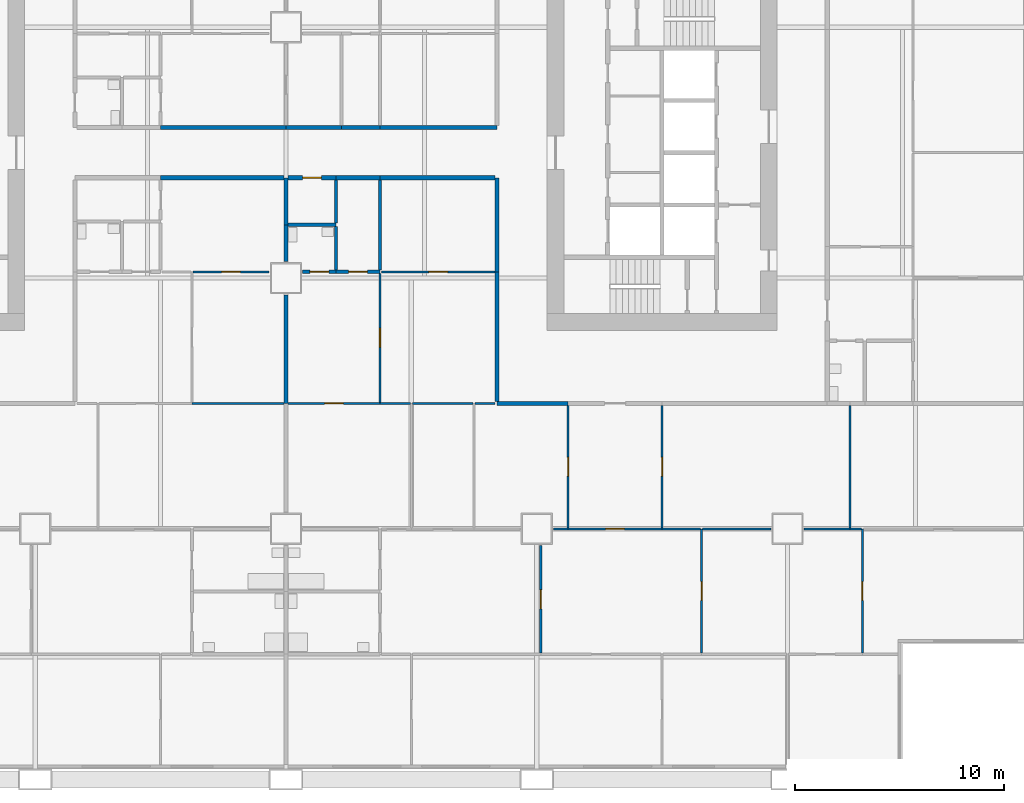
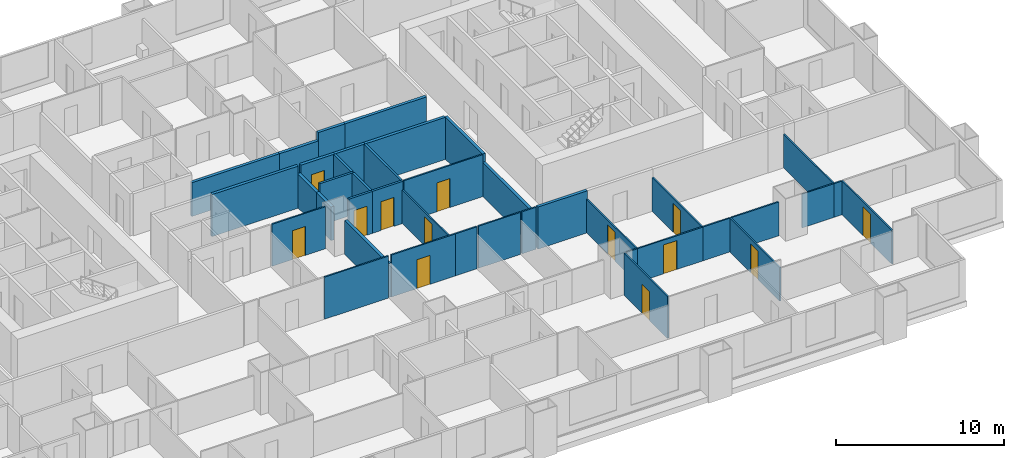
# One storey, part 6 of 14: 40 walls, 13 doors, 13 openings.
"""IFC4 building model written with IfcOpenShell, lengths in metres."""

from ifc_helpers import new_model, si_unit, direction, frame, frame_2d, origin, place, context, subcontext, project, spatial, rectangle, extrude, material, layer, layer_set, type_object, element, fill, save


model = new_model("IFC4")

# Units and contexts
model_context = context("Model", 3, precision=1e-05, world=origin(), true_north=direction((0.0, 1.0)))
body_context = subcontext(model_context, "Body", "Model", "MODEL_VIEW")
ifc_project = project(units=[si_unit("LENGTHUNIT", "METRE"), si_unit("AREAUNIT", "SQUARE_METRE"), si_unit("VOLUMEUNIT", "CUBIC_METRE"), si_unit("PLANEANGLEUNIT", "RADIAN"), si_unit("MASSUNIT", "GRAM", prefix="KILO")], contexts=[model_context])

# Site, building, storey
site_placement = place(None, origin())
site = spatial("IfcSite", under=ifc_project, at=site_placement, CompositionType="ELEMENT")
building_placement = place(site_placement, origin())
building = spatial("IfcBuilding", under=site, at=building_placement, Name="Kitamizu Gate Tower and Museum", CompositionType="ELEMENT")
storey_placement = place(building_placement, frame((0.0, 0.0, 67.949951171875)))
storey = spatial("IfcBuildingStorey", under=building, at=storey_placement, Name="L16", CompositionType="ELEMENT", Elevation=67.949951171875)

# Wall
ifc_material_1 = material(Name="Gypsum board on galvanised stud")
ifc_layer_1 = layer(ifc_material_1, 0.10009765625)
ifc_layer_set_1 = layer_set([ifc_layer_1], Name="Gypsum board on galvanised stud")
wall_type_1 = type_object("IfcWallType", Name="Partition 100 NOT RATED", PredefinedType="PARTITIONING", material=ifc_layer_set_1)
wall_1_placement = place(storey_placement, frame((35.89990234375, 18.0, 0.0), z_axis=(0.0, 0.0, 1.0), x_axis=(-1.0, 0.0, 0.0)))
element("IfcWall", 1, at=wall_1_placement, inside=storey, type_object=wall_type_1, Name="Partition L16-050", PredefinedType="PARTITIONING", context=body_context, shape_type="SweptSolid", body=[
    extrude(rectangle(XDim=4.39990234375, YDim=0.10009765625, at=frame_2d((2.199951171875, 0.0))), origin(), (0.0, 0.0, 1.0), 3.050048828125),
])

# Wall, opening, door
wall_2_placement = place(storey_placement, frame((35.199951171875, 24.300048828125, 0.0), z_axis=(0.0, 0.0, 1.0), x_axis=(-1.0, 0.0, 0.0)))
wall_2 = element("IfcWall", 2, at=wall_2_placement, inside=storey, type_object=wall_type_1, Name="Partition L16-058", PredefinedType="PARTITIONING", context=body_context, shape_type="SweptSolid", body=[
    extrude(rectangle(XDim=3.64990234375, YDim=0.10009765625, at=frame_2d((1.824951171875, 0.0))), origin(), (0.0, 0.0, 1.0), 3.050048828125),
])
opening_1_placement = place(wall_2_placement, frame((1.375, 0.0, 0.0)))
opening_1 = element("IfcOpeningElement", 3, at=opening_1_placement, cuts=wall_2, Name="Opening L16-023", PredefinedType="OPENING", context=body_context, shape_type="SweptSolid", body=[
    extrude(rectangle(XDim=0.89990234375, YDim=2.10009765625, at=frame_2d((0.449951171875, 1.050048828125))), frame((0.0, 0.06005859375, 0.0), z_axis=(0.0, -1.0, 0.0), x_axis=(1.0, 0.0, 0.0)), (0.0, 0.0, 1.0), 0.1201171875),
])
ifc_material_2 = material(Name="Timber door set", Category="wood")
door_type_1 = type_object("IfcDoorType", Name="Room door 900", OperationType="NOTDEFINED", PredefinedType="DOOR", material=ifc_material_2)
door_1_placement = place(opening_1_placement, frame((0.89990234375, 0.0, 0.0), x_axis=(-1.0, 0.0, 0.0)))
door_1 = element("IfcDoor", 4, at=door_1_placement, inside=storey, type_object=door_type_1, Name="Door L16-023", OperationType="SINGLE_SWING_LEFT", OverallHeight=2.10009765625, OverallWidth=0.89990234375, PredefinedType="DOOR", context=body_context, shape_type="SweptSolid", body=[
    extrude(rectangle(XDim=0.89990234375, YDim=2.10009765625, at=frame_2d((0.449951171875, 1.050048828125))), frame((0.0, 0.02490234375, 0.0), z_axis=(0.0, -1.0, 0.0), x_axis=(1.0, 0.0, 0.0)), (0.0, 0.0, 1.0), 0.050048828125),
])
fill(opening_1, door_1)

wall_3_placement = place(storey_placement, frame((48.195068359375, 6.050048828125, 0.0), z_axis=(0.0, 0.0, 1.0), x_axis=(0.0, 1.0, 0.0)))
wall_3 = element("IfcWall", 5, at=wall_3_placement, inside=storey, type_object=wall_type_1, Name="Partition L16-086", PredefinedType="PARTITIONING", context=body_context, shape_type="SweptSolid", body=[
    extrude(rectangle(XDim=5.14990234375, YDim=0.10009765625, at=frame_2d((2.574951171875, 0.0))), origin(), (0.0, 0.0, 1.0), 3.050048828125),
])
opening_2_placement = place(wall_3_placement, frame((2.125, 0.0, 0.0)))
opening_2 = element("IfcOpeningElement", 6, at=opening_2_placement, cuts=wall_3, Name="Opening L16-028", PredefinedType="OPENING", context=body_context, shape_type="SweptSolid", body=[
    extrude(rectangle(XDim=0.89990234375, YDim=2.10009765625, at=frame_2d((0.449951171875, 1.050048828125))), frame((0.0, 0.06005859375, 0.0), z_axis=(0.0, -1.0, 0.0), x_axis=(1.0, 0.0, 0.0)), (0.0, 0.0, 1.0), 0.1201171875),
])
door_2_placement = place(opening_2_placement, frame((0.89990234375, 0.0, 0.0), x_axis=(-1.0, 0.0, 0.0)))
door_2 = element("IfcDoor", 7, at=door_2_placement, inside=storey, type_object=door_type_1, Name="Door L16-028", OperationType="SINGLE_SWING_RIGHT", OverallHeight=2.10009765625, OverallWidth=0.89990234375, PredefinedType="DOOR", context=body_context, shape_type="SweptSolid", body=[
    extrude(rectangle(XDim=0.89990234375, YDim=2.10009765625, at=frame_2d((0.449951171875, 1.050048828125))), frame((0.0, 0.02490234375, 0.0), z_axis=(0.0, -1.0, 0.0), x_axis=(1.0, 0.0, 0.0)), (0.0, 0.0, 1.0), 0.050048828125),
])
fill(opening_2, door_2)

wall_4_placement = place(storey_placement, frame((55.889892578125, 6.050048828125, 0.0), z_axis=(0.0, 0.0, 1.0), x_axis=(0.0, 1.0, 0.0)))
wall_4 = element("IfcWall", 8, at=wall_4_placement, inside=storey, type_object=wall_type_1, Name="Partition L16-090", PredefinedType="PARTITIONING", context=body_context, shape_type="SweptSolid", body=[
    extrude(rectangle(XDim=5.949951171875, YDim=0.10009765625, at=frame_2d((2.97509765625, 0.0))), origin(), (0.0, 0.0, 1.0), 2.449951171875),
])
opening_3_placement = place(wall_4_placement, frame((2.52490234375, 0.0, 0.0)))
opening_3 = element("IfcOpeningElement", 9, at=opening_3_placement, cuts=wall_4, Name="Opening L16-029", PredefinedType="OPENING", context=body_context, shape_type="SweptSolid", body=[
    extrude(rectangle(XDim=0.89990234375, YDim=2.10009765625, at=frame_2d((0.449951171875, 1.050048828125))), frame((0.0, 0.06005859375, 0.0), z_axis=(0.0, -1.0, 0.0), x_axis=(1.0, 0.0, 0.0)), (0.0, 0.0, 1.0), 0.1201171875),
])
door_3_placement = place(opening_3_placement, frame((0.89990234375, 0.0, 0.0), x_axis=(-1.0, 0.0, 0.0)))
door_3 = element("IfcDoor", 10, at=door_3_placement, inside=storey, type_object=door_type_1, Name="Door L16-029", OperationType="SINGLE_SWING_LEFT", OverallHeight=2.10009765625, OverallWidth=0.89990234375, PredefinedType="DOOR", context=body_context, shape_type="SweptSolid", body=[
    extrude(rectangle(XDim=0.89990234375, YDim=2.10009765625, at=frame_2d((0.449951171875, 1.050048828125))), frame((0.0, 0.02490234375, 0.0), z_axis=(0.0, -1.0, 0.0), x_axis=(1.0, 0.0, 0.0)), (0.0, 0.0, 1.0), 0.050048828125),
])
fill(opening_3, door_3)

# Wall
wall_5_placement = place(storey_placement, frame((49.5, 12.0, 0.0), z_axis=(0.0, 0.0, 1.0), x_axis=(-1.0, 0.0, 0.0)))
element("IfcWall", 11, at=wall_5_placement, inside=storey, type_object=wall_type_1, Name="Partition L16-091", PredefinedType="PARTITIONING", context=body_context, shape_type="SweptSolid", body=[
    extrude(rectangle(XDim=0.699951171875, YDim=0.10009765625, at=frame_2d((0.35009765625, 0.0))), origin(), (0.0, 0.0, 1.0), 2.449951171875),
])

# Wall, opening, door
wall_6_placement = place(storey_placement, frame((54.0, 12.0, 0.0), z_axis=(0.0, 0.0, 1.0), x_axis=(-1.0, 0.0, 0.0)))
wall_6 = element("IfcWall", 12, at=wall_6_placement, inside=storey, type_object=wall_type_1, Name="Partition L16-092", PredefinedType="PARTITIONING", context=body_context, shape_type="SweptSolid", body=[
    extrude(rectangle(XDim=4.5, YDim=0.10009765625, at=frame_2d((2.25, 0.0))), origin(), (0.0, 0.0, 1.0), 2.449951171875),
])
opening_4_placement = place(wall_6_placement, frame((1.800048828125, 0.0, 0.0)))
opening_4 = element("IfcOpeningElement", 13, at=opening_4_placement, cuts=wall_6, Name="Opening L16-026", PredefinedType="OPENING", context=body_context, shape_type="SweptSolid", body=[
    extrude(rectangle(XDim=0.89990234375, YDim=2.10009765625, at=frame_2d((0.449951171875, 1.050048828125))), frame((0.0, 0.06005859375, 0.0), z_axis=(0.0, -1.0, 0.0), x_axis=(1.0, 0.0, 0.0)), (0.0, 0.0, 1.0), 0.1201171875),
])
door_4_placement = place(opening_4_placement, origin())
door_4 = element("IfcDoor", 14, at=door_4_placement, inside=storey, type_object=door_type_1, Name="Door L16-026", OperationType="SINGLE_SWING_LEFT", OverallHeight=2.10009765625, OverallWidth=0.89990234375, PredefinedType="DOOR", context=body_context, shape_type="SweptSolid", body=[
    extrude(rectangle(XDim=0.89990234375, YDim=2.10009765625, at=frame_2d((0.449951171875, 1.050048828125))), frame((0.0, 0.02490234375, 0.0), z_axis=(0.0, -1.0, 0.0), x_axis=(1.0, 0.0, 0.0)), (0.0, 0.0, 1.0), 0.050048828125),
])
fill(opening_4, door_4)

# Wall
wall_7_placement = place(storey_placement, frame((55.840087890625, 12.0, 0.0), z_axis=(0.0, 0.0, 1.0), x_axis=(-1.0, 0.0, 0.0)))
element("IfcWall", 15, at=wall_7_placement, inside=storey, type_object=wall_type_1, Name="Partition L16-093", PredefinedType="PARTITIONING", context=body_context, shape_type="SweptSolid", body=[
    extrude(rectangle(XDim=1.840087890625, YDim=0.10009765625, at=frame_2d((0.919921875, 0.0))), origin(), (0.0, 0.0, 1.0), 2.449951171875),
])

# Wall, opening, door
wall_8_placement = place(storey_placement, frame((63.5849609375, 6.050048828125, 0.0), z_axis=(0.0, 0.0, 1.0), x_axis=(0.0, 1.0, 0.0)))
wall_8 = element("IfcWall", 16, at=wall_8_placement, inside=storey, type_object=wall_type_1, Name="Partition L16-094", PredefinedType="PARTITIONING", context=body_context, shape_type="SweptSolid", body=[
    extrude(rectangle(XDim=5.949951171875, YDim=0.10009765625, at=frame_2d((2.97509765625, 0.0))), origin(), (0.0, 0.0, 1.0), 2.449951171875),
])
opening_5_placement = place(wall_8_placement, frame((2.52490234375, 0.0, 0.0)))
opening_5 = element("IfcOpeningElement", 17, at=opening_5_placement, cuts=wall_8, Name="Opening L16-030", PredefinedType="OPENING", context=body_context, shape_type="SweptSolid", body=[
    extrude(rectangle(XDim=0.89990234375, YDim=2.10009765625, at=frame_2d((0.449951171875, 1.050048828125))), frame((0.0, 0.06005859375, 0.0), z_axis=(0.0, -1.0, 0.0), x_axis=(1.0, 0.0, 0.0)), (0.0, 0.0, 1.0), 0.1201171875),
])
door_5_placement = place(opening_5_placement, frame((0.89990234375, 0.0, 0.0), x_axis=(-1.0, 0.0, 0.0)))
door_5 = element("IfcDoor", 18, at=door_5_placement, inside=storey, type_object=door_type_1, Name="Door L16-030", OperationType="SINGLE_SWING_RIGHT", OverallHeight=2.10009765625, OverallWidth=0.89990234375, PredefinedType="DOOR", context=body_context, shape_type="SweptSolid", body=[
    extrude(rectangle(XDim=0.89990234375, YDim=2.10009765625, at=frame_2d((0.449951171875, 1.050048828125))), frame((0.0, 0.02490234375, 0.0), z_axis=(0.0, -1.0, 0.0), x_axis=(1.0, 0.0, 0.0)), (0.0, 0.0, 1.0), 0.050048828125),
])
fill(opening_5, door_5)

# Walls
wall_9_placement = place(storey_placement, frame((59.199951171875, 12.0, 0.0), z_axis=(0.0, 0.0, 1.0), x_axis=(-1.0, 0.0, 0.0)))
element("IfcWall", 19, at=wall_9_placement, inside=storey, type_object=wall_type_1, Name="Partition L16-095", PredefinedType="PARTITIONING", context=body_context, shape_type="SweptSolid", body=[
    extrude(rectangle(XDim=3.260009765625, YDim=0.10009765625, at=frame_2d((1.6298828125, 0.0))), origin(), (0.0, 0.0, 1.0), 2.449951171875),
])
wall_10_placement = place(storey_placement, frame((63.0, 12.0, 0.0), z_axis=(0.0, 0.0, 1.0), x_axis=(-1.0, 0.0, 0.0)))
element("IfcWall", 20, at=wall_10_placement, inside=storey, type_object=wall_type_1, Name="Partition L16-096", PredefinedType="PARTITIONING", context=body_context, shape_type="SweptSolid", body=[
    extrude(rectangle(XDim=2.199951171875, YDim=0.10009765625, at=frame_2d((1.10009765625, 0.0))), origin(), (0.0, 0.0, 1.0), 2.449951171875),
])
wall_11_placement = place(storey_placement, frame((63.534912109375, 12.0, 0.0), z_axis=(0.0, 0.0, 1.0), x_axis=(-1.0, 0.0, 0.0)))
element("IfcWall", 21, at=wall_11_placement, inside=storey, type_object=wall_type_1, Name="Partition L16-097", PredefinedType="PARTITIONING", context=body_context, shape_type="SweptSolid", body=[
    extrude(rectangle(XDim=0.534912109375, YDim=0.10009765625, at=frame_2d((0.267578125, 0.0))), origin(), (0.0, 0.0, 1.0), 2.449951171875),
])

# Wall, opening, door
wall_12_placement = place(storey_placement, frame((40.5, 18.0, 0.0), z_axis=(0.0, 0.0, 1.0), x_axis=(-1.0, 0.0, 0.0)))
wall_12 = element("IfcWall", 22, at=wall_12_placement, inside=storey, type_object=wall_type_1, Name="Partition L16-100", PredefinedType="PARTITIONING", context=body_context, shape_type="SweptSolid", body=[
    extrude(rectangle(XDim=4.39990234375, YDim=0.10009765625, at=frame_2d((2.199951171875, 0.0))), origin(), (0.0, 0.0, 1.0), 3.050048828125),
])
opening_6_placement = place(wall_12_placement, frame((1.75, 0.0, 0.0)))
opening_6 = element("IfcOpeningElement", 23, at=opening_6_placement, cuts=wall_12, Name="Opening L16-041", PredefinedType="OPENING", context=body_context, shape_type="SweptSolid", body=[
    extrude(rectangle(XDim=0.89990234375, YDim=2.10009765625, at=frame_2d((0.449951171875, 1.050048828125))), frame((0.0, 0.06005859375, 0.0), z_axis=(0.0, -1.0, 0.0), x_axis=(1.0, 0.0, 0.0)), (0.0, 0.0, 1.0), 0.1201171875),
])
door_6_placement = place(opening_6_placement, frame((0.89990234375, 0.0, 0.0), x_axis=(-1.0, 0.0, 0.0)))
door_6 = element("IfcDoor", 24, at=door_6_placement, inside=storey, type_object=door_type_1, Name="Door L16-041", OperationType="SINGLE_SWING_LEFT", OverallHeight=2.10009765625, OverallWidth=0.89990234375, PredefinedType="DOOR", context=body_context, shape_type="SweptSolid", body=[
    extrude(rectangle(XDim=0.89990234375, YDim=2.10009765625, at=frame_2d((0.449951171875, 1.050048828125))), frame((0.0, 0.02490234375, 0.0), z_axis=(0.0, -1.0, 0.0), x_axis=(1.0, 0.0, 0.0)), (0.0, 0.0, 1.0), 0.050048828125),
])
fill(opening_6, door_6)

# Walls
wall_13_placement = place(storey_placement, frame((41.949951171875, 18.0, 0.0), z_axis=(0.0, 0.0, 1.0), x_axis=(-1.0, 0.0, 0.0)))
element("IfcWall", 25, at=wall_13_placement, inside=storey, type_object=wall_type_1, Name="Partition L16-101", PredefinedType="PARTITIONING", context=body_context, shape_type="SweptSolid", body=[
    extrude(rectangle(XDim=1.449951171875, YDim=0.10009765625, at=frame_2d((0.72509765625, 0.0))), origin(), (0.0, 0.0, 1.0), 3.050048828125),
])
wall_14_placement = place(storey_placement, frame((44.949951171875, 18.0, 0.0), z_axis=(0.0, 0.0, 1.0), x_axis=(-1.0, 0.0, 0.0)))
element("IfcWall", 26, at=wall_14_placement, inside=storey, type_object=wall_type_1, Name="Partition L16-103", PredefinedType="PARTITIONING", context=body_context, shape_type="SweptSolid", body=[
    extrude(rectangle(XDim=2.89990234375, YDim=0.10009765625, at=frame_2d((1.449951171875, 0.0))), origin(), (0.0, 0.0, 1.0), 3.050048828125),
])

# Wall, opening, door
wall_15_placement = place(storey_placement, frame((49.5, 12.050048828125, 0.0), z_axis=(0.0, 0.0, 1.0), x_axis=(0.0, 1.0, 0.0)))
wall_15 = element("IfcWall", 27, at=wall_15_placement, inside=storey, type_object=wall_type_1, Name="Partition L16-104", PredefinedType="PARTITIONING", context=body_context, shape_type="SweptSolid", body=[
    extrude(rectangle(XDim=5.849853515625, YDim=0.10009765625, at=frame_2d((2.9248046875, 0.0))), origin(), (0.0, 0.0, 1.0), 2.449951171875),
])
opening_7_placement = place(wall_15_placement, frame((2.47509765625, 0.0, 0.0)))
opening_7 = element("IfcOpeningElement", 28, at=opening_7_placement, cuts=wall_15, Name="Opening L16-038", PredefinedType="OPENING", context=body_context, shape_type="SweptSolid", body=[
    extrude(rectangle(XDim=0.89990234375, YDim=2.10009765625, at=frame_2d((0.449951171875, 1.050048828125))), frame((0.0, 0.06005859375, 0.0), z_axis=(0.0, -1.0, 0.0), x_axis=(1.0, 0.0, 0.0)), (0.0, 0.0, 1.0), 0.1201171875),
])
door_7_placement = place(opening_7_placement, origin())
door_7 = element("IfcDoor", 29, at=door_7_placement, inside=storey, type_object=door_type_1, Name="Door L16-038", OperationType="SINGLE_SWING_LEFT", OverallHeight=2.10009765625, OverallWidth=0.89990234375, PredefinedType="DOOR", context=body_context, shape_type="SweptSolid", body=[
    extrude(rectangle(XDim=0.89990234375, YDim=2.10009765625, at=frame_2d((0.449951171875, 1.050048828125))), frame((0.0, 0.02490234375, 0.0), z_axis=(0.0, -1.0, 0.0), x_axis=(1.0, 0.0, 0.0)), (0.0, 0.0, 1.0), 0.050048828125),
])
fill(opening_7, door_7)

# Wall
wall_16_placement = place(storey_placement, frame((46.0, 18.0, 0.0), z_axis=(0.0, 0.0, 1.0), x_axis=(-1.0, 0.0, 0.0)))
element("IfcWall", 30, at=wall_16_placement, inside=storey, type_object=wall_type_1, Name="Partition L16-105", PredefinedType="PARTITIONING", context=body_context, shape_type="SweptSolid", body=[
    extrude(rectangle(XDim=0.949951171875, YDim=0.10009765625, at=frame_2d((0.47509765625, 0.0))), origin(), (0.0, 0.0, 1.0), 3.050048828125),
])

# Wall, opening, door
wall_17_placement = place(storey_placement, frame((54.0, 12.050048828125, 0.0), z_axis=(0.0, 0.0, 1.0), x_axis=(0.0, 1.0, 0.0)))
wall_17 = element("IfcWall", 31, at=wall_17_placement, inside=storey, type_object=wall_type_1, Name="Partition L16-107", PredefinedType="PARTITIONING", context=body_context, shape_type="SweptSolid", body=[
    extrude(rectangle(XDim=5.849853515625, YDim=0.10009765625, at=frame_2d((2.9248046875, 0.0))), origin(), (0.0, 0.0, 1.0), 2.449951171875),
])
opening_8_placement = place(wall_17_placement, frame((2.47509765625, 0.0, 0.0)))
opening_8 = element("IfcOpeningElement", 32, at=opening_8_placement, cuts=wall_17, Name="Opening L16-039", PredefinedType="OPENING", context=body_context, shape_type="SweptSolid", body=[
    extrude(rectangle(XDim=0.89990234375, YDim=2.10009765625, at=frame_2d((0.449951171875, 1.050048828125))), frame((0.0, 0.06005859375, 0.0), z_axis=(0.0, -1.0, 0.0), x_axis=(1.0, 0.0, 0.0)), (0.0, 0.0, 1.0), 0.1201171875),
])
door_8_placement = place(opening_8_placement, frame((0.89990234375, 0.0, 0.0), x_axis=(-1.0, 0.0, 0.0)))
door_8 = element("IfcDoor", 33, at=door_8_placement, inside=storey, type_object=door_type_1, Name="Door L16-039", OperationType="SINGLE_SWING_LEFT", OverallHeight=2.10009765625, OverallWidth=0.89990234375, PredefinedType="DOOR", context=body_context, shape_type="SweptSolid", body=[
    extrude(rectangle(XDim=0.89990234375, YDim=2.10009765625, at=frame_2d((0.449951171875, 1.050048828125))), frame((0.0, 0.02490234375, 0.0), z_axis=(0.0, -1.0, 0.0), x_axis=(1.0, 0.0, 0.0)), (0.0, 0.0, 1.0), 0.050048828125),
])
fill(opening_8, door_8)

# Wall
wall_18_placement = place(storey_placement, frame((63.0, 12.050048828125, 0.0), z_axis=(0.0, 0.0, 1.0), x_axis=(0.0, 1.0, 0.0)))
element("IfcWall", 34, at=wall_18_placement, inside=storey, type_object=wall_type_1, Name="Partition L16-109", PredefinedType="PARTITIONING", context=body_context, shape_type="SweptSolid", body=[
    extrude(rectangle(XDim=5.849853515625, YDim=0.10009765625, at=frame_2d((2.9248046875, 0.0))), origin(), (0.0, 0.0, 1.0), 2.449951171875),
])

# Wall, opening, door
wall_19_placement = place(storey_placement, frame((40.5, 18.050048828125, 0.0), z_axis=(0.0, 0.0, 1.0), x_axis=(0.0, 1.0, 0.0)))
wall_19 = element("IfcWall", 35, at=wall_19_placement, inside=storey, type_object=wall_type_1, Name="Partition L16-115", PredefinedType="PARTITIONING", context=body_context, shape_type="SweptSolid", body=[
    extrude(rectangle(XDim=6.175048828125, YDim=0.10009765625, at=frame_2d((3.08740234375, 0.0))), origin(), (0.0, 0.0, 1.0), 2.449951171875),
])
opening_9_placement = place(wall_19_placement, frame((2.637451171875, 0.0, 0.0)))
opening_9 = element("IfcOpeningElement", 36, at=opening_9_placement, cuts=wall_19, Name="Opening L16-042", PredefinedType="OPENING", context=body_context, shape_type="SweptSolid", body=[
    extrude(rectangle(XDim=0.89990234375, YDim=2.10009765625, at=frame_2d((0.449951171875, 1.050048828125))), frame((0.0, 0.06005859375, 0.0), z_axis=(0.0, -1.0, 0.0), x_axis=(1.0, 0.0, 0.0)), (0.0, 0.0, 1.0), 0.1201171875),
])
door_9_placement = place(opening_9_placement, origin())
door_9 = element("IfcDoor", 37, at=door_9_placement, inside=storey, type_object=door_type_1, Name="Door L16-042", OperationType="SINGLE_SWING_LEFT", OverallHeight=2.10009765625, OverallWidth=0.89990234375, PredefinedType="DOOR", context=body_context, shape_type="SweptSolid", body=[
    extrude(rectangle(XDim=0.89990234375, YDim=2.10009765625, at=frame_2d((0.449951171875, 1.050048828125))), frame((0.0, 0.02490234375, 0.0), z_axis=(0.0, -1.0, 0.0), x_axis=(1.0, 0.0, 0.0)), (0.0, 0.0, 1.0), 0.050048828125),
])
fill(opening_9, door_9)

wall_20_placement = place(storey_placement, frame((46.0, 24.300048828125, 0.0), z_axis=(0.0, 0.0, 1.0), x_axis=(-1.0, 0.0, 0.0)))
wall_20 = element("IfcWall", 38, at=wall_20_placement, inside=storey, type_object=wall_type_1, Name="Partition L16-118", PredefinedType="PARTITIONING", context=body_context, shape_type="SweptSolid", body=[
    extrude(rectangle(XDim=5.425048828125, YDim=0.10009765625, at=frame_2d((2.71240234375, 0.0))), origin(), (0.0, 0.0, 1.0), 3.050048828125),
])
opening_10_placement = place(wall_20_placement, frame((2.262451171875, 0.0, 0.0)))
opening_10 = element("IfcOpeningElement", 39, at=opening_10_placement, cuts=wall_20, Name="Opening L16-045", PredefinedType="OPENING", context=body_context, shape_type="SweptSolid", body=[
    extrude(rectangle(XDim=0.89990234375, YDim=2.10009765625, at=frame_2d((0.449951171875, 1.050048828125))), frame((0.0, 0.06005859375, 0.0), z_axis=(0.0, -1.0, 0.0), x_axis=(1.0, 0.0, 0.0)), (0.0, 0.0, 1.0), 0.1201171875),
])
door_10_placement = place(opening_10_placement, frame((0.89990234375, 0.0, 0.0), x_axis=(-1.0, 0.0, 0.0)))
door_10 = element("IfcDoor", 40, at=door_10_placement, inside=storey, type_object=door_type_1, Name="Door L16-045", OperationType="SINGLE_SWING_LEFT", OverallHeight=2.10009765625, OverallWidth=0.89990234375, PredefinedType="DOOR", context=body_context, shape_type="SweptSolid", body=[
    extrude(rectangle(XDim=0.89990234375, YDim=2.10009765625, at=frame_2d((0.449951171875, 1.050048828125))), frame((0.0, 0.02490234375, 0.0), z_axis=(0.0, -1.0, 0.0), x_axis=(1.0, 0.0, 0.0)), (0.0, 0.0, 1.0), 0.050048828125),
])
fill(opening_10, door_10)

ifc_material_3 = material(Name="Gypsum board on galvanised stud")
ifc_layer_2 = layer(ifc_material_3, 0.14990234375)
ifc_layer_set_2 = layer_set([ifc_layer_2], Name="Gypsum board on galvanised stud")
wall_type_2 = type_object("IfcWallType", Name="Partition 150", PredefinedType="PARTITIONING", material=ifc_layer_set_2)
wall_21_placement = place(storey_placement, frame((38.39990234375, 24.300048828125, 0.0), z_axis=(0.0, 0.0, 1.0), x_axis=(-1.0, 0.0, 0.0)))
wall_21 = element("IfcWall", 41, at=wall_21_placement, inside=storey, type_object=wall_type_2, Name="Partition L16-116", PredefinedType="PARTITIONING", context=body_context, shape_type="SweptSolid", body=[
    extrude(rectangle(XDim=1.599853515625, YDim=0.14990234375, at=frame_2d((0.7998046875, 0.0))), origin(), (0.0, 0.0, 1.0), 3.050048828125),
])
opening_11_placement = place(wall_21_placement, frame((0.35009765625, 0.0, 0.0)))
opening_11 = element("IfcOpeningElement", 42, at=opening_11_placement, cuts=wall_21, Name="Opening L16-043", PredefinedType="OPENING", context=body_context, shape_type="SweptSolid", body=[
    extrude(rectangle(XDim=0.89990234375, YDim=2.10009765625, at=frame_2d((0.449951171875, 1.050048828125))), frame((0.0, 0.0849609375, 0.0), z_axis=(0.0, -1.0, 0.0), x_axis=(1.0, 0.0, 0.0)), (0.0, 0.0, 1.0), 0.169921875),
])
ifc_material_4 = material(Name="Timber door set", Category="wood")
door_type_2 = type_object("IfcDoorType", Name="Bathroom door 900", OperationType="NOTDEFINED", PredefinedType="DOOR", material=ifc_material_4)
door_11_placement = place(opening_11_placement, frame((0.89990234375, 0.0, 0.0), x_axis=(-1.0, 0.0, 0.0)))
door_11 = element("IfcDoor", 43, at=door_11_placement, inside=storey, type_object=door_type_2, Name="Bathroom door L16-043", OperationType="SINGLE_SWING_LEFT", OverallHeight=2.10009765625, OverallWidth=0.89990234375, PredefinedType="DOOR", context=body_context, shape_type="SweptSolid", body=[
    extrude(rectangle(XDim=0.89990234375, YDim=2.10009765625, at=frame_2d((0.449951171875, 1.050048828125))), frame((0.0, 0.02490234375, 0.0), z_axis=(0.0, -1.0, 0.0), x_axis=(1.0, 0.0, 0.0)), (0.0, 0.0, 1.0), 0.050048828125),
])
fill(opening_11, door_11)

wall_22_placement = place(storey_placement, frame((40.5, 24.300048828125, 0.0), z_axis=(0.0, 0.0, 1.0), x_axis=(-1.0, 0.0, 0.0)))
wall_22 = element("IfcWall", 44, at=wall_22_placement, inside=storey, type_object=wall_type_2, Name="Partition L16-117", PredefinedType="PARTITIONING", context=body_context, shape_type="SweptSolid", body=[
    extrude(rectangle(XDim=2.10009765625, YDim=0.14990234375, at=frame_2d((1.050048828125, 0.0))), origin(), (0.0, 0.0, 1.0), 3.050048828125),
])
opening_12_placement = place(wall_22_placement, frame((0.60009765625, 0.0, 0.0)))
opening_12 = element("IfcOpeningElement", 45, at=opening_12_placement, cuts=wall_22, Name="Opening L16-044", PredefinedType="OPENING", context=body_context, shape_type="SweptSolid", body=[
    extrude(rectangle(XDim=0.89990234375, YDim=2.10009765625, at=frame_2d((0.449951171875, 1.050048828125))), frame((0.0, 0.0849609375, 0.0), z_axis=(0.0, -1.0, 0.0), x_axis=(1.0, 0.0, 0.0)), (0.0, 0.0, 1.0), 0.169921875),
])
door_12_placement = place(opening_12_placement, frame((0.89990234375, 0.0, 0.0), x_axis=(-1.0, 0.0, 0.0)))
door_12 = element("IfcDoor", 46, at=door_12_placement, inside=storey, type_object=door_type_2, Name="Bathroom door L16-044", OperationType="SINGLE_SWING_RIGHT", OverallHeight=2.10009765625, OverallWidth=0.89990234375, PredefinedType="DOOR", context=body_context, shape_type="SweptSolid", body=[
    extrude(rectangle(XDim=0.89990234375, YDim=2.10009765625, at=frame_2d((0.449951171875, 1.050048828125))), frame((0.0, 0.02490234375, 0.0), z_axis=(0.0, -1.0, 0.0), x_axis=(1.0, 0.0, 0.0)), (0.0, 0.0, 1.0), 0.050048828125),
])
fill(opening_12, door_12)

# Walls
wall_23_placement = place(storey_placement, frame((38.39990234375, 26.550048828125, 0.0), z_axis=(0.0, 0.0, 1.0), x_axis=(-1.0, 0.0, 0.0)))
element("IfcWall", 47, at=wall_23_placement, inside=storey, type_object=wall_type_2, Name="Partition L16-120", PredefinedType="PARTITIONING", context=body_context, shape_type="SweptSolid", body=[
    extrude(rectangle(XDim=2.2998046875, YDim=0.14990234375, at=frame_2d((1.14990234375, 0.0))), origin(), (0.0, 0.0, 1.0), 3.050048828125),
])
wall_24_placement = place(storey_placement, frame((38.39990234375, 24.375, 0.0), z_axis=(0.0, 0.0, 1.0), x_axis=(0.0, 1.0, 0.0)))
element("IfcWall", 48, at=wall_24_placement, inside=storey, type_object=wall_type_2, Name="Partition L16-121", PredefinedType="PARTITIONING", context=body_context, shape_type="SweptSolid", body=[
    extrude(rectangle(XDim=2.10009765625, YDim=0.14990234375, at=frame_2d((1.050048828125, 0.0))), origin(), (0.0, 0.0, 1.0), 3.050048828125),
])
wall_25_placement = place(storey_placement, frame((38.39990234375, 26.625, 0.0), z_axis=(0.0, 0.0, 1.0), x_axis=(0.0, 1.0, 0.0)))
element("IfcWall", 49, at=wall_25_placement, inside=storey, type_object=wall_type_2, Name="Partition L16-122", PredefinedType="PARTITIONING", context=body_context, shape_type="SweptSolid", body=[
    extrude(rectangle(XDim=2.074951171875, YDim=0.14990234375, at=frame_2d((1.03759765625, 0.0))), origin(), (0.0, 0.0, 1.0), 3.050048828125),
])
wall_26_placement = place(storey_placement, frame((40.5, 24.375, 0.0), z_axis=(0.0, 0.0, 1.0), x_axis=(0.0, 1.0, 0.0)))
element("IfcWall", 50, at=wall_26_placement, inside=storey, type_object=wall_type_2, Name="Partition L16-124", PredefinedType="PARTITIONING", context=body_context, shape_type="SweptSolid", body=[
    extrude(rectangle(XDim=4.324951171875, YDim=0.14990234375, at=frame_2d((2.16259765625, 0.0))), origin(), (0.0, 0.0, 1.0), 3.050048828125),
])
ifc_material_5 = material(Name="Gypsum board on galvanised stud")
ifc_layer_3 = layer(ifc_material_5, 0.199951171875)
ifc_layer_set_3 = layer_set([ifc_layer_3], Name="Gypsum board on galvanised stud")
wall_type_3 = type_object("IfcWallType", Name="Partition 200", PredefinedType="PARTITIONING", material=ifc_layer_set_3)
wall_27_placement = place(storey_placement, frame((36.0, 18.0, 0.0), z_axis=(0.0, 0.0, 1.0), x_axis=(0.0, 1.0, 0.0)))
element("IfcWall", 51, at=wall_27_placement, inside=storey, type_object=wall_type_3, Name="Partition L16-059", PredefinedType="PARTITIONING", context=body_context, shape_type="SweptSolid", body=[
    extrude(rectangle(XDim=5.199951171875, YDim=0.199951171875, at=frame_2d((2.60009765625, 0.0))), origin(), (0.0, 0.0, 1.0), 2.449951171875),
])
wall_28_placement = place(storey_placement, frame((36.0, 24.800048828125, 0.0), z_axis=(0.0, 0.0, 1.0), x_axis=(0.0, 1.0, 0.0)))
element("IfcWall", 52, at=wall_28_placement, inside=storey, type_object=wall_type_3, Name="Partition L16-068", PredefinedType="PARTITIONING", context=body_context, shape_type="SweptSolid", body=[
    extrude(rectangle(XDim=1.75, YDim=0.199951171875, at=frame_2d((0.875, 0.0))), origin(), (0.0, 0.0, 1.0), 2.449951171875),
])
wall_29_placement = place(storey_placement, frame((36.0, 26.550048828125, 0.0), z_axis=(0.0, 0.0, 1.0), x_axis=(0.0, 1.0, 0.0)))
element("IfcWall", 53, at=wall_29_placement, inside=storey, type_object=wall_type_3, Name="Partition L16-069", PredefinedType="PARTITIONING", context=body_context, shape_type="SweptSolid", body=[
    extrude(rectangle(XDim=2.25, YDim=0.199951171875, at=frame_2d((1.125, 0.0))), origin(), (0.0, 0.0, 1.0), 2.449951171875),
])
wall_30_placement = place(storey_placement, frame((35.89990234375, 28.800048828125, 0.0), z_axis=(0.0, 0.0, 1.0), x_axis=(-1.0, 0.0, 0.0)))
element("IfcWall", 54, at=wall_30_placement, inside=storey, type_object=wall_type_3, Name="Partition L16-070", PredefinedType="PARTITIONING", context=body_context, shape_type="SweptSolid", body=[
    extrude(rectangle(XDim=5.89990234375, YDim=0.199951171875, at=frame_2d((2.949951171875, 0.0))), origin(), (0.0, 0.0, 1.0), 3.050048828125),
])
wall_31_placement = place(storey_placement, frame((49.5, 18.0, 0.0), z_axis=(0.0, 0.0, 1.0), x_axis=(-1.0, 0.0, 0.0)))
element("IfcWall", 55, at=wall_31_placement, inside=storey, type_object=wall_type_3, Name="Partition L16-106", PredefinedType="PARTITIONING", context=body_context, shape_type="SweptSolid", body=[
    extrude(rectangle(XDim=3.39990234375, YDim=0.199951171875, at=frame_2d((1.699951171875, 0.0))), origin(), (0.0, 0.0, 1.0), 3.050048828125),
])
wall_32_placement = place(storey_placement, frame((46.10009765625, 18.10009765625, 0.0), z_axis=(0.0, 0.0, 1.0), x_axis=(0.0, 1.0, 0.0)))
element("IfcWall", 56, at=wall_32_placement, inside=storey, type_object=wall_type_3, Name="Partition L16-119", PredefinedType="PARTITIONING", context=body_context, shape_type="SweptSolid", body=[
    extrude(rectangle(XDim=6.199951171875, YDim=0.199951171875, at=frame_2d((3.10009765625, 0.0))), origin(), (0.0, 0.0, 1.0), 2.449951171875),
])

# Wall, opening, door
wall_33_placement = place(storey_placement, frame((38.39990234375, 28.800048828125, 0.0), z_axis=(0.0, 0.0, 1.0), x_axis=(-1.0, 0.0, 0.0)))
wall_33 = element("IfcWall", 57, at=wall_33_placement, inside=storey, type_object=wall_type_3, Name="Partition L16-123", PredefinedType="PARTITIONING", context=body_context, shape_type="SweptSolid", body=[
    extrude(rectangle(XDim=2.2998046875, YDim=0.199951171875, at=frame_2d((1.14990234375, 0.0))), origin(), (0.0, 0.0, 1.0), 3.050048828125),
])
opening_13_placement = place(wall_33_placement, frame((0.699951171875, 0.0, 0.0)))
opening_13 = element("IfcOpeningElement", 58, at=opening_13_placement, cuts=wall_33, Name="Opening L16-046", PredefinedType="OPENING", context=body_context, shape_type="SweptSolid", body=[
    extrude(rectangle(XDim=0.89990234375, YDim=2.10009765625, at=frame_2d((0.449951171875, 1.050048828125))), frame((0.0, 0.10986328125, 0.0), z_axis=(0.0, -1.0, 0.0), x_axis=(1.0, 0.0, 0.0)), (0.0, 0.0, 1.0), 0.219970703125),
])
ifc_material_6 = material(Name="Timber door set", Category="wood")
door_type_3 = type_object("IfcDoorType", Name="Store door 900", OperationType="NOTDEFINED", PredefinedType="DOOR", material=ifc_material_6)
door_13_placement = place(opening_13_placement, origin())
door_13 = element("IfcDoor", 59, at=door_13_placement, inside=storey, type_object=door_type_3, Name="Service entrance door L16-046", OperationType="SINGLE_SWING_LEFT", OverallHeight=2.10009765625, OverallWidth=0.89990234375, PredefinedType="DOOR", context=body_context, shape_type="SweptSolid", body=[
    extrude(rectangle(XDim=0.89990234375, YDim=2.10009765625, at=frame_2d((0.449951171875, 1.050048828125))), frame((0.0, 0.02490234375, 0.0), z_axis=(0.0, -1.0, 0.0), x_axis=(1.0, 0.0, 0.0)), (0.0, 0.0, 1.0), 0.050048828125),
])
fill(opening_13, door_13)

# Walls
wall_34_placement = place(storey_placement, frame((40.5, 28.800048828125, 0.0), z_axis=(0.0, 0.0, 1.0), x_axis=(-1.0, 0.0, 0.0)))
element("IfcWall", 60, at=wall_34_placement, inside=storey, type_object=wall_type_3, Name="Partition L16-125", PredefinedType="PARTITIONING", context=body_context, shape_type="SweptSolid", body=[
    extrude(rectangle(XDim=2.10009765625, YDim=0.199951171875, at=frame_2d((1.050048828125, 0.0))), origin(), (0.0, 0.0, 1.0), 3.050048828125),
])
wall_35_placement = place(storey_placement, frame((46.10009765625, 24.300048828125, 0.0), z_axis=(0.0, 0.0, 1.0), x_axis=(0.0, 1.0, 0.0)))
element("IfcWall", 61, at=wall_35_placement, inside=storey, type_object=wall_type_3, Name="Partition L16-126", PredefinedType="PARTITIONING", context=body_context, shape_type="SweptSolid", body=[
    extrude(rectangle(XDim=4.5, YDim=0.199951171875, at=frame_2d((2.25, 0.0))), origin(), (0.0, 0.0, 1.0), 3.050048828125),
])
wall_36_placement = place(storey_placement, frame((46.0, 28.800048828125, 0.0), z_axis=(0.0, 0.0, 1.0), x_axis=(-1.0, 0.0, 0.0)))
element("IfcWall", 62, at=wall_36_placement, inside=storey, type_object=wall_type_3, Name="Partition L16-127", PredefinedType="PARTITIONING", context=body_context, shape_type="SweptSolid", body=[
    extrude(rectangle(XDim=5.5, YDim=0.199951171875, at=frame_2d((2.75, 0.0))), origin(), (0.0, 0.0, 1.0), 3.050048828125),
])
wall_37_placement = place(storey_placement, frame((30.0, 31.199951171875, 0.0), z_axis=(0.0, 0.0, 1.0), x_axis=(1.0, 0.0, 0.0)))
element("IfcWall", 63, at=wall_37_placement, inside=storey, type_object=wall_type_3, Name="Partition L16-193", PredefinedType="PARTITIONING", context=body_context, shape_type="SweptSolid", body=[
    extrude(rectangle(XDim=6.0, YDim=0.199951171875, at=frame_2d((3.0, 0.0))), origin(), (0.0, 0.0, 1.0), 2.449951171875),
])
wall_38_placement = place(storey_placement, frame((36.0, 31.199951171875, 0.0), z_axis=(0.0, 0.0, 1.0), x_axis=(1.0, 0.0, 0.0)))
element("IfcWall", 64, at=wall_38_placement, inside=storey, type_object=wall_type_3, Name="Partition L16-202", PredefinedType="PARTITIONING", context=body_context, shape_type="SweptSolid", body=[
    extrude(rectangle(XDim=2.6669921875, YDim=0.199951171875, at=frame_2d((1.33349609375, 0.0))), origin(), (0.0, 0.0, 1.0), 2.449951171875),
])
wall_39_placement = place(storey_placement, frame((38.6669921875, 31.199951171875, 0.0), z_axis=(0.0, 0.0, 1.0), x_axis=(1.0, 0.0, 0.0)))
element("IfcWall", 65, at=wall_39_placement, inside=storey, type_object=wall_type_3, Name="Partition L16-204", PredefinedType="PARTITIONING", context=body_context, shape_type="SweptSolid", body=[
    extrude(rectangle(XDim=1.8330078125, YDim=0.199951171875, at=frame_2d((0.91650390625, 0.0))), origin(), (0.0, 0.0, 1.0), 3.050048828125),
])
wall_40_placement = place(storey_placement, frame((40.5, 31.199951171875, 0.0), z_axis=(0.0, 0.0, 1.0), x_axis=(1.0, 0.0, 0.0)))
element("IfcWall", 66, at=wall_40_placement, inside=storey, type_object=wall_type_3, Name="Partition L16-205", PredefinedType="PARTITIONING", context=body_context, shape_type="SweptSolid", body=[
    extrude(rectangle(XDim=5.60009765625, YDim=0.199951171875, at=frame_2d((2.800048828125, 0.0))), origin(), (0.0, 0.0, 1.0), 3.050048828125),
])

save(model, "model.ifc")
